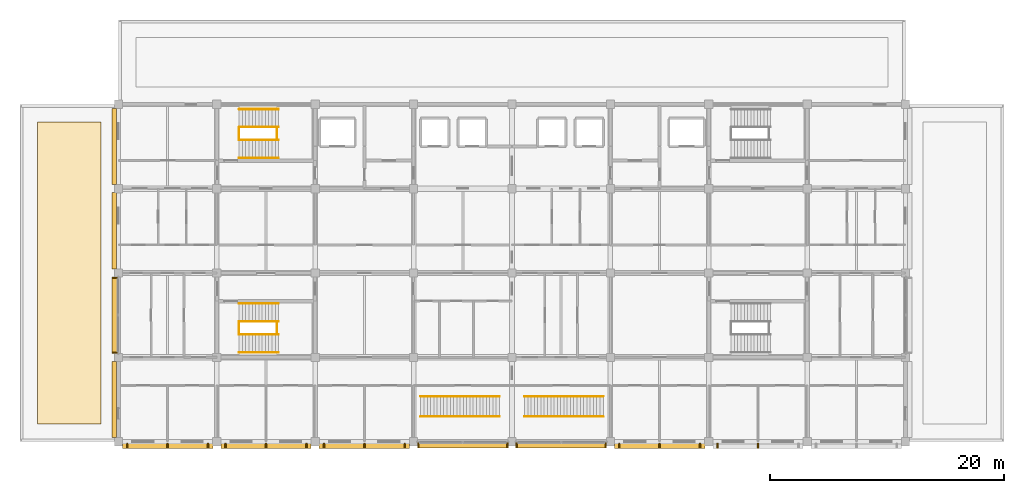
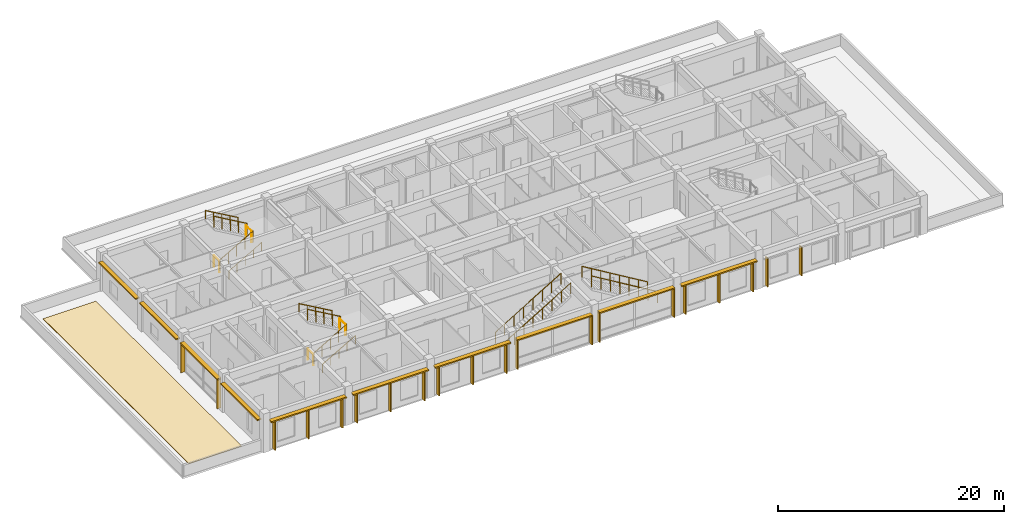
# One storey, part 17 of 19: 30 shading devices, 16 railings, 1 covering.
"""IFC4 building model written with IfcOpenShell, lengths in metres."""

from ifc_helpers import new_model, si_unit, direction, frame, origin, origin_2d, place, context, subcontext, project, spatial, polyline, rectangle, circle, outline, extrude, material, layer, layer_set, type_object, element, save


model = new_model("IFC4")

# Units and contexts
model_context = context("Model", 3, precision=1e-05, world=origin(), true_north=direction((0.0, 1.0)))
body_context = subcontext(model_context, "Body", "Model", "MODEL_VIEW")
ifc_project = project(units=[si_unit("LENGTHUNIT", "METRE"), si_unit("AREAUNIT", "SQUARE_METRE"), si_unit("VOLUMEUNIT", "CUBIC_METRE"), si_unit("PLANEANGLEUNIT", "RADIAN"), si_unit("MASSUNIT", "GRAM", prefix="KILO")], contexts=[model_context])

# Site, building, storey
site_placement = place(None, origin())
site = spatial("IfcSite", under=ifc_project, at=site_placement, CompositionType="ELEMENT")
building_placement = place(site_placement, origin())
building = spatial("IfcBuilding", under=site, at=building_placement, Name="Chengyuan Square Courthouse", CompositionType="ELEMENT")
storey_placement = place(building_placement, frame((0.0, 0.0, 47.699951171875)))
storey = spatial("IfcBuildingStorey", under=building, at=storey_placement, Name="L11", CompositionType="ELEMENT", Elevation=47.699951171875)

# Covering
ifc_material_1 = material(Name="TPO Waterproof Membrane and Extruded Polystyrene Insulation")
ifc_layer = layer(ifc_material_1, 0.06005859375)
ifc_layer_set = layer_set([ifc_layer], Name="TPO Waterproof Membrane and Extruded Polystyrene Insulation")
covering_type = type_object("IfcCoveringType", Name="RFG-01", PredefinedType="ROOFING", material=ifc_layer_set)
covering_placement = place(storey_placement, origin())
element("IfcCovering", 1, at=covering_placement, inside=storey, type_object=covering_type, Name="Roof Waterproofing Membrane RFG-L11-07", PredefinedType="ROOFING", context=body_context, shape_type="SweptSolid", body=[
    extrude(outline(polyline([(43.5, 80.699951171875), (48.89990234375, 80.699951171875), (48.89990234375, 106.5), (43.5, 106.5), (43.5, 80.699951171875)])), origin(), (0.0, 0.0, 1.0), 0.06005859375),
])

# Railings
ifc_material_2 = material(Name="Tempered Glass and Timber Top-Rail Balustrade", Category="wood")
railing_type_1 = type_object("IfcRailingType", Name="RL-02", PredefinedType="BALUSTRADE", material=ifc_material_2)
for number, where, name in (
    (2, (60.68994140625, 105.0, 0.0), "Stair Floor Slot Guard ST-1 L11"),
    (3, (63.949951171875, 105.0, 2.10009765625), "Stair Landing Guard ST-1-L11"),
):
    element("IfcRailing", number, at=place(storey_placement, frame(where)), inside=storey, type_object=railing_type_1, Name=name, PredefinedType="BALUSTRADE", context=body_context, shape_type="SweptSolid", body=[
        extrude(circle(Radius=0.02392578125, at=origin_2d()), frame((0.0, 0.0, 1.17578125), z_axis=(0.0, 1.0, 0.0), x_axis=(-1.0, 0.0, 0.0)), (0.0, 0.0, 1.0), 1.0),
        extrude(circle(Radius=0.02099609375, at=origin_2d()), origin(), (0.0, 0.0, 1.0), 1.15185546875),
        extrude(circle(Radius=0.02099609375, at=origin_2d()), frame((0.0, 1.0, 0.0)), (0.0, 0.0, 1.0), 1.15185546875),
    ])
railing_1_placement = place(storey_placement, frame((60.7099609375, 104.949951171875, 0.16162109375)))
element("IfcRailing", 4, at=railing_1_placement, inside=storey, type_object=railing_type_1, Name="Stair Flight 1 Guard ST-1-L11", PredefinedType="BALUSTRADE", context=body_context, shape_type="SweptSolid", body=[
    extrude(circle(Radius=0.02392578125, at=origin_2d()), frame((0.0, 0.0, 1.17578125), z_axis=(0.866190824863, 0.0, 0.499713372768), x_axis=(0.0, 1.0, 0.0)), (0.0, 0.0, 1.0), 3.879150390625),
    extrude(circle(Radius=0.02099609375, at=origin_2d()), origin(), (0.0, 0.0, 1.0), 1.15185546875),
    extrude(circle(Radius=0.02099609375, at=origin_2d()), frame((0.840087890625, 0.0, 0.484619140625)), (0.0, 0.0, 1.0), 1.15185546875),
    extrude(circle(Radius=0.02099609375, at=origin_2d()), frame((1.68017578125, 0.0, 0.96923828125)), (0.0, 0.0, 1.0), 1.15185546875),
    extrude(circle(Radius=0.02099609375, at=origin_2d()), frame((2.52001953125, 0.0, 1.453857421875)), (0.0, 0.0, 1.0), 1.15185546875),
    extrude(circle(Radius=0.02099609375, at=origin_2d()), frame((3.360107421875, 0.0, 1.9384765625)), (0.0, 0.0, 1.0), 1.15185546875),
])
railing_2_placement = place(storey_placement, frame((64.070068359375, 106.050048828125, 2.261474609375)))
element("IfcRailing", 5, at=railing_2_placement, inside=storey, type_object=railing_type_1, Name="Stair Flight 2 Guard ST-1-L11", PredefinedType="BALUSTRADE", context=body_context, shape_type="SweptSolid", body=[
    extrude(circle(Radius=0.02392578125, at=origin_2d()), frame((0.0, 0.0, 1.17578125), z_axis=(-0.866190824863, 0.0, 0.499713372768), x_axis=(0.0, -1.0, 0.0)), (0.0, 0.0, 1.0), 3.879150390625),
    extrude(circle(Radius=0.02099609375, at=origin_2d()), origin(), (0.0, 0.0, 1.0), 1.15185546875),
    extrude(circle(Radius=0.02099609375, at=origin_2d()), frame((-0.840087890625, 0.0, 0.484619140625)), (0.0, 0.0, 1.0), 1.15185546875),
    extrude(circle(Radius=0.02099609375, at=origin_2d()), frame((-1.68017578125, 0.0, 0.96923828125)), (0.0, 0.0, 1.0), 1.15185546875),
    extrude(circle(Radius=0.02099609375, at=origin_2d()), frame((-2.52001953125, 0.0, 1.453857421875)), (0.0, 0.0, 1.0), 1.15185546875),
    extrude(circle(Radius=0.02099609375, at=origin_2d()), frame((-3.360107421875, 0.0, 1.9384765625)), (0.0, 0.0, 1.0), 1.15185546875),
])
for number, where, name in (
    (6, (60.68994140625, 88.39990234375, 0.0), "Stair Floor Slot Guard ST-3 L11"),
    (7, (63.949951171875, 88.39990234375, 2.10009765625), "Stair Landing Guard ST-3-L11"),
):
    element("IfcRailing", number, at=place(storey_placement, frame(where)), inside=storey, type_object=railing_type_1, Name=name, PredefinedType="BALUSTRADE", context=body_context, shape_type="SweptSolid", body=[
        extrude(circle(Radius=0.02392578125, at=origin_2d()), frame((0.0, 0.0, 1.17578125), z_axis=(0.0, 1.0, 0.0), x_axis=(-1.0, 0.0, 0.0)), (0.0, 0.0, 1.0), 1.0),
        extrude(circle(Radius=0.02099609375, at=origin_2d()), origin(), (0.0, 0.0, 1.0), 1.15185546875),
        extrude(circle(Radius=0.02099609375, at=origin_2d()), frame((0.0, 1.0, 0.0)), (0.0, 0.0, 1.0), 1.15185546875),
    ])
railing_3_placement = place(storey_placement, frame((60.7099609375, 88.35009765625, 0.16162109375)))
element("IfcRailing", 8, at=railing_3_placement, inside=storey, type_object=railing_type_1, Name="Stair Flight 1 Guard ST-3-L11", PredefinedType="BALUSTRADE", context=body_context, shape_type="SweptSolid", body=[
    extrude(circle(Radius=0.02392578125, at=origin_2d()), frame((0.0, 0.0, 1.17578125), z_axis=(0.866190824863, 0.0, 0.499713372768), x_axis=(0.0, 1.0, 0.0)), (0.0, 0.0, 1.0), 3.879150390625),
    extrude(circle(Radius=0.02099609375, at=origin_2d()), origin(), (0.0, 0.0, 1.0), 1.15185546875),
    extrude(circle(Radius=0.02099609375, at=origin_2d()), frame((0.840087890625, 0.0, 0.484619140625)), (0.0, 0.0, 1.0), 1.15185546875),
    extrude(circle(Radius=0.02099609375, at=origin_2d()), frame((1.68017578125, 0.0, 0.96923828125)), (0.0, 0.0, 1.0), 1.15185546875),
    extrude(circle(Radius=0.02099609375, at=origin_2d()), frame((2.52001953125, 0.0, 1.453857421875)), (0.0, 0.0, 1.0), 1.15185546875),
    extrude(circle(Radius=0.02099609375, at=origin_2d()), frame((3.360107421875, 0.0, 1.9384765625)), (0.0, 0.0, 1.0), 1.15185546875),
])
railing_4_placement = place(storey_placement, frame((64.070068359375, 89.449951171875, 2.261474609375)))
element("IfcRailing", 9, at=railing_4_placement, inside=storey, type_object=railing_type_1, Name="Stair Flight 2 Guard ST-3-L11", PredefinedType="BALUSTRADE", context=body_context, shape_type="SweptSolid", body=[
    extrude(circle(Radius=0.02392578125, at=origin_2d()), frame((0.0, 0.0, 1.17578125), z_axis=(-0.866190824863, 0.0, 0.499713372768), x_axis=(0.0, -1.0, 0.0)), (0.0, 0.0, 1.0), 3.879150390625),
    extrude(circle(Radius=0.02099609375, at=origin_2d()), origin(), (0.0, 0.0, 1.0), 1.15185546875),
    extrude(circle(Radius=0.02099609375, at=origin_2d()), frame((-0.840087890625, 0.0, 0.484619140625)), (0.0, 0.0, 1.0), 1.15185546875),
    extrude(circle(Radius=0.02099609375, at=origin_2d()), frame((-1.68017578125, 0.0, 0.96923828125)), (0.0, 0.0, 1.0), 1.15185546875),
    extrude(circle(Radius=0.02099609375, at=origin_2d()), frame((-2.52001953125, 0.0, 1.453857421875)), (0.0, 0.0, 1.0), 1.15185546875),
    extrude(circle(Radius=0.02099609375, at=origin_2d()), frame((-3.360107421875, 0.0, 1.9384765625)), (0.0, 0.0, 1.0), 1.15185546875),
])
for number, where, name in (
    (10, (76.2099609375, 81.340087890625, 0.16796875), "Feature Stair Flight Guard ST-11E"),
    (11, (76.2099609375, 83.06005859375, 0.16796875), "Feature Stair Flight Guard ST-11E"),
):
    element("IfcRailing", number, at=place(storey_placement, frame(where)), inside=storey, type_object=railing_type_1, Name=name, PredefinedType="BALUSTRADE", context=body_context, shape_type="SweptSolid", body=[
        extrude(circle(Radius=0.02392578125, at=origin_2d()), frame((0.0, 0.0, 1.17578125), z_axis=(0.857492925713, 0.0, 0.514495755428), x_axis=(0.0, 1.0, 0.0)), (0.0, 0.0, 1.0), 7.836669921875),
        extrude(circle(Radius=0.02099609375, at=origin_2d()), origin(), (0.0, 0.0, 1.0), 1.15185546875),
        extrude(circle(Radius=0.02099609375, at=origin_2d()), frame((0.9599609375, 0.0, 0.575927734375)), (0.0, 0.0, 1.0), 1.15185546875),
        extrude(circle(Radius=0.02099609375, at=origin_2d()), frame((1.919921875, 0.0, 1.152099609375)), (0.0, 0.0, 1.0), 1.15185546875),
        extrude(circle(Radius=0.02099609375, at=origin_2d()), frame((2.8798828125, 0.0, 1.72802734375)), (0.0, 0.0, 1.0), 1.15185546875),
        extrude(circle(Radius=0.02099609375, at=origin_2d()), frame((3.840087890625, 0.0, 2.303955078125)), (0.0, 0.0, 1.0), 1.15185546875),
        extrude(circle(Radius=0.02099609375, at=origin_2d()), frame((4.800048828125, 0.0, 2.8798828125)), (0.0, 0.0, 1.0), 1.15185546875),
        extrude(circle(Radius=0.02099609375, at=origin_2d()), frame((5.760009765625, 0.0, 3.4560546875)), (0.0, 0.0, 1.0), 1.15185546875),
        extrude(circle(Radius=0.02099609375, at=origin_2d()), frame((6.719970703125, 0.0, 4.031982421875)), (0.0, 0.0, 1.0), 1.15185546875),
    ])
for number, where, name in (
    (12, (91.7900390625, 81.340087890625, 0.16796875), "Feature Stair Flight Guard ST-11F"),
    (13, (91.7900390625, 83.06005859375, 0.16796875), "Feature Stair Flight Guard ST-11F"),
):
    element("IfcRailing", number, at=place(storey_placement, frame(where)), inside=storey, type_object=railing_type_1, Name=name, PredefinedType="BALUSTRADE", context=body_context, shape_type="SweptSolid", body=[
        extrude(circle(Radius=0.02392578125, at=origin_2d()), frame((0.0, 0.0, 1.17578125), z_axis=(-0.857492925713, 0.0, 0.514495755428), x_axis=(0.0, -1.0, 0.0)), (0.0, 0.0, 1.0), 7.836669921875),
        extrude(circle(Radius=0.02099609375, at=origin_2d()), origin(), (0.0, 0.0, 1.0), 1.15185546875),
        extrude(circle(Radius=0.02099609375, at=origin_2d()), frame((-0.9599609375, 0.0, 0.575927734375)), (0.0, 0.0, 1.0), 1.15185546875),
        extrude(circle(Radius=0.02099609375, at=origin_2d()), frame((-1.919921875, 0.0, 1.152099609375)), (0.0, 0.0, 1.0), 1.15185546875),
        extrude(circle(Radius=0.02099609375, at=origin_2d()), frame((-2.8798828125, 0.0, 1.72802734375)), (0.0, 0.0, 1.0), 1.15185546875),
        extrude(circle(Radius=0.02099609375, at=origin_2d()), frame((-3.840087890625, 0.0, 2.303955078125)), (0.0, 0.0, 1.0), 1.15185546875),
        extrude(circle(Radius=0.02099609375, at=origin_2d()), frame((-4.800048828125, 0.0, 2.8798828125)), (0.0, 0.0, 1.0), 1.15185546875),
        extrude(circle(Radius=0.02099609375, at=origin_2d()), frame((-5.760009765625, 0.0, 3.4560546875)), (0.0, 0.0, 1.0), 1.15185546875),
        extrude(circle(Radius=0.02099609375, at=origin_2d()), frame((-6.719970703125, 0.0, 4.031982421875)), (0.0, 0.0, 1.0), 1.15185546875),
    ])
ifc_material_3 = material(Name="Stainless Steel S30408 Stair Handrail", Category="steel")
railing_type_2 = type_object("IfcRailingType", Name="RL-04", PredefinedType="HANDRAIL", material=ifc_material_3)
railing_5_placement = place(storey_placement, frame((60.7099609375, 103.419921875, 0.16162109375)))
element("IfcRailing", 14, at=railing_5_placement, inside=storey, type_object=railing_type_2, Name="Stair Flight 1 Handrail ST-1-L11", PredefinedType="HANDRAIL", context=body_context, shape_type="SweptSolid", body=[
    extrude(circle(Radius=0.02392578125, at=origin_2d()), frame((0.0, 0.0, 0.8759765625), z_axis=(0.866190824863, 0.0, 0.499713372768), x_axis=(0.0, 1.0, 0.0)), (0.0, 0.0, 1.0), 3.879150390625),
    extrude(circle(Radius=0.02099609375, at=origin_2d()), origin(), (0.0, 0.0, 1.0), 0.851806640625),
    extrude(circle(Radius=0.02099609375, at=origin_2d()), frame((0.840087890625, 0.0, 0.484619140625)), (0.0, 0.0, 1.0), 0.851806640625),
    extrude(circle(Radius=0.02099609375, at=origin_2d()), frame((1.68017578125, 0.0, 0.96923828125)), (0.0, 0.0, 1.0), 0.851806640625),
    extrude(circle(Radius=0.02099609375, at=origin_2d()), frame((2.52001953125, 0.0, 1.453857421875)), (0.0, 0.0, 1.0), 0.851806640625),
    extrude(circle(Radius=0.02099609375, at=origin_2d()), frame((3.360107421875, 0.0, 1.9384765625)), (0.0, 0.0, 1.0), 0.851806640625),
])
railing_6_placement = place(storey_placement, frame((64.070068359375, 107.580078125, 2.261474609375)))
element("IfcRailing", 15, at=railing_6_placement, inside=storey, type_object=railing_type_2, Name="Stair Flight 2 Handrail ST-1-L11", PredefinedType="HANDRAIL", context=body_context, shape_type="SweptSolid", body=[
    extrude(circle(Radius=0.02392578125, at=origin_2d()), frame((0.0, 0.0, 0.8759765625), z_axis=(-0.866190824863, 0.0, 0.499713372768), x_axis=(0.0, -1.0, 0.0)), (0.0, 0.0, 1.0), 3.879150390625),
    extrude(circle(Radius=0.02099609375, at=origin_2d()), origin(), (0.0, 0.0, 1.0), 0.851806640625),
    extrude(circle(Radius=0.02099609375, at=origin_2d()), frame((-0.840087890625, 0.0, 0.484619140625)), (0.0, 0.0, 1.0), 0.851806640625),
    extrude(circle(Radius=0.02099609375, at=origin_2d()), frame((-1.68017578125, 0.0, 0.96923828125)), (0.0, 0.0, 1.0), 0.851806640625),
    extrude(circle(Radius=0.02099609375, at=origin_2d()), frame((-2.52001953125, 0.0, 1.453857421875)), (0.0, 0.0, 1.0), 0.851806640625),
    extrude(circle(Radius=0.02099609375, at=origin_2d()), frame((-3.360107421875, 0.0, 1.9384765625)), (0.0, 0.0, 1.0), 0.851806640625),
])
railing_7_placement = place(storey_placement, frame((60.7099609375, 86.820068359375, 0.16162109375)))
element("IfcRailing", 16, at=railing_7_placement, inside=storey, type_object=railing_type_2, Name="Stair Flight 1 Handrail ST-3-L11", PredefinedType="HANDRAIL", context=body_context, shape_type="SweptSolid", body=[
    extrude(circle(Radius=0.02392578125, at=origin_2d()), frame((0.0, 0.0, 0.8759765625), z_axis=(0.866190824863, 0.0, 0.499713372768), x_axis=(0.0, 1.0, 0.0)), (0.0, 0.0, 1.0), 3.879150390625),
    extrude(circle(Radius=0.02099609375, at=origin_2d()), origin(), (0.0, 0.0, 1.0), 0.851806640625),
    extrude(circle(Radius=0.02099609375, at=origin_2d()), frame((0.840087890625, 0.0, 0.484619140625)), (0.0, 0.0, 1.0), 0.851806640625),
    extrude(circle(Radius=0.02099609375, at=origin_2d()), frame((1.68017578125, 0.0, 0.96923828125)), (0.0, 0.0, 1.0), 0.851806640625),
    extrude(circle(Radius=0.02099609375, at=origin_2d()), frame((2.52001953125, 0.0, 1.453857421875)), (0.0, 0.0, 1.0), 0.851806640625),
    extrude(circle(Radius=0.02099609375, at=origin_2d()), frame((3.360107421875, 0.0, 1.9384765625)), (0.0, 0.0, 1.0), 0.851806640625),
])
railing_8_placement = place(storey_placement, frame((64.070068359375, 90.97998046875, 2.261474609375)))
element("IfcRailing", 17, at=railing_8_placement, inside=storey, type_object=railing_type_2, Name="Stair Flight 2 Handrail ST-3-L11", PredefinedType="HANDRAIL", context=body_context, shape_type="SweptSolid", body=[
    extrude(circle(Radius=0.02392578125, at=origin_2d()), frame((0.0, 0.0, 0.8759765625), z_axis=(-0.866190824863, 0.0, 0.499713372768), x_axis=(0.0, -1.0, 0.0)), (0.0, 0.0, 1.0), 3.879150390625),
    extrude(circle(Radius=0.02099609375, at=origin_2d()), origin(), (0.0, 0.0, 1.0), 0.851806640625),
    extrude(circle(Radius=0.02099609375, at=origin_2d()), frame((-0.840087890625, 0.0, 0.484619140625)), (0.0, 0.0, 1.0), 0.851806640625),
    extrude(circle(Radius=0.02099609375, at=origin_2d()), frame((-1.68017578125, 0.0, 0.96923828125)), (0.0, 0.0, 1.0), 0.851806640625),
    extrude(circle(Radius=0.02099609375, at=origin_2d()), frame((-2.52001953125, 0.0, 1.453857421875)), (0.0, 0.0, 1.0), 0.851806640625),
    extrude(circle(Radius=0.02099609375, at=origin_2d()), frame((-3.360107421875, 0.0, 1.9384765625)), (0.0, 0.0, 1.0), 0.851806640625),
])

# Shading devices
ifc_material_4 = material(Name="Glulam TCt28 Solar Shading Fin", Category="wood")
shading_device_type_1 = type_object("IfcShadingDeviceType", Name="SHD-01", PredefinedType="JALOUSIE", material=ifc_material_4)
for number, where, z_axis, x_axis, name in (
    (18, (50.087890625, 86.7900390625, 0.0400390625), (0.0, 0.0, 1.0), (1.0, 0.0, 0.0), "Glulam Solar Fin SHD-L11-0796"),
    (19, (50.087890625, 93.2099609375, 0.0400390625), (0.0, 0.0, 1.0), (1.0, 0.0, 0.0), "Glulam Solar Fin SHD-L11-0797"),
    (20, (75.985107421875, 78.89794921875, 0.0400390625), (0.0, 0.0, 1.0), (0.0, 1.0, 0.0), "Glulam Solar Fin SHD-L11-0809"),
    (21, (83.614990234375, 78.89794921875, 0.0400390625), (0.0, 0.0, 1.0), (0.0, 1.0, 0.0), "Glulam Solar Fin SHD-L11-0810"),
    (22, (84.385009765625, 78.89794921875, 0.0400390625), (0.0, 0.0, 1.0), (0.0, 1.0, 0.0), "Glulam Solar Fin SHD-L11-0812"),
    (23, (92.014892578125, 78.89794921875, 0.0400390625), (0.0, 0.0, 1.0), (0.0, 1.0, 0.0), "Glulam Solar Fin SHD-L11-0813"),
):
    element("IfcShadingDevice", number, at=place(storey_placement, frame(where, z_axis=z_axis, x_axis=x_axis)), inside=storey, type_object=shading_device_type_1, Name=name, PredefinedType="JALOUSIE", context=body_context, shape_type="SweptSolid", body=[
        extrude(rectangle(XDim=0.419921875, YDim=0.094970703125, at=origin_2d()), origin(), (0.0, 0.0, 1.0), 3.10009765625),
    ])
ifc_material_5 = material(Name="Glulam TCt28 Sunshade Louvre", Category="wood")
shading_device_type_2 = type_object("IfcShadingDeviceType", Name="SHD-02", PredefinedType="AWNING", material=ifc_material_5)
shading_device_1_placement = place(storey_placement, frame((54.60009765625, 78.837890625, 3.14013671875), z_axis=(0.0, 0.0, 1.0), x_axis=(1.0, 0.0, 0.0)))
element("IfcShadingDevice", 24, at=shading_device_1_placement, inside=storey, type_object=shading_device_type_2, Name="Glulam Sunshade Cornice SHD-L11-0794", PredefinedType="AWNING", context=body_context, shape_type="SweptSolid", body=[
    extrude(rectangle(XDim=7.7099609375, YDim=0.43994140625, at=origin_2d()), origin(), (0.0, 0.0, 1.0), 0.139892578125),
])
shading_device_2_placement = place(storey_placement, frame((50.087890625, 90.0, 3.14013671875), z_axis=(0.0, 0.0, 1.0), x_axis=(0.0, 1.0, 0.0)))
element("IfcShadingDevice", 25, at=shading_device_2_placement, inside=storey, type_object=shading_device_type_2, Name="Glulam Sunshade Louvre SHD-L11-0798", PredefinedType="AWNING", context=body_context, shape_type="SweptSolid", body=[
    extrude(rectangle(XDim=6.5, YDim=0.43994140625, at=origin_2d()), origin(), (0.0, 0.0, 1.0), 0.139892578125),
])
for number, where, z_axis, x_axis, name in (
    (26, (63.0, 78.837890625, 3.14013671875), (0.0, 0.0, 1.0), (1.0, 0.0, 0.0), "Glulam Sunshade Cornice SHD-L11-0804"),
    (27, (71.39990234375, 78.837890625, 3.14013671875), (0.0, 0.0, 1.0), (1.0, 0.0, 0.0), "Glulam Sunshade Cornice SHD-L11-0808"),
):
    element("IfcShadingDevice", number, at=place(storey_placement, frame(where, z_axis=z_axis, x_axis=x_axis)), inside=storey, type_object=shading_device_type_2, Name=name, PredefinedType="AWNING", context=body_context, shape_type="SweptSolid", body=[
        extrude(rectangle(XDim=7.7099609375, YDim=0.43994140625, at=origin_2d()), origin(), (0.0, 0.0, 1.0), 0.139892578125),
    ])
for number, where, z_axis, x_axis, name in (
    (28, (79.800048828125, 78.89794921875, 3.14013671875), (0.0, 0.0, 1.0), (1.0, 0.0, 0.0), "Glulam Sunshade Louvre SHD-L11-0811"),
    (29, (88.199951171875, 78.89794921875, 3.14013671875), (0.0, 0.0, 1.0), (1.0, 0.0, 0.0), "Glulam Sunshade Louvre SHD-L11-0814"),
):
    element("IfcShadingDevice", number, at=place(storey_placement, frame(where, z_axis=z_axis, x_axis=x_axis)), inside=storey, type_object=shading_device_type_2, Name=name, PredefinedType="AWNING", context=body_context, shape_type="SweptSolid", body=[
        extrude(rectangle(XDim=7.699951171875, YDim=0.43994140625, at=origin_2d()), origin(), (0.0, 0.0, 1.0), 0.139892578125),
    ])
shading_device_3_placement = place(storey_placement, frame((96.60009765625, 78.837890625, 3.14013671875), z_axis=(0.0, 0.0, 1.0), x_axis=(1.0, 0.0, 0.0)))
element("IfcShadingDevice", 30, at=shading_device_3_placement, inside=storey, type_object=shading_device_type_2, Name="Glulam Sunshade Cornice SHD-L11-0818", PredefinedType="AWNING", context=body_context, shape_type="SweptSolid", body=[
    extrude(rectangle(XDim=7.7099609375, YDim=0.43994140625, at=origin_2d()), origin(), (0.0, 0.0, 1.0), 0.139892578125),
])
ifc_material_6 = material(Name="Glulam TCt28 Facade Sunshade", Category="wood")
shading_device_type_3 = type_object("IfcShadingDeviceType", Name="SHD-03", PredefinedType="AWNING", material=ifc_material_6)
for number, where, z_axis, x_axis, name in (
    (31, (50.048095703125, 82.800048828125, 3.1201171875), (0.0, 0.0, 1.0), (0.0, 1.0, 0.0), "Glulam Facade Sunshade SHD-L11-0795"),
    (32, (50.048095703125, 97.199951171875, 3.1201171875), (0.0, 0.0, 1.0), (0.0, 1.0, 0.0), "Glulam Facade Sunshade SHD-L11-0799"),
    (33, (50.048095703125, 104.39990234375, 3.1201171875), (0.0, 0.0, 1.0), (0.0, 1.0, 0.0), "Glulam Facade Sunshade SHD-L11-0800"),
):
    element("IfcShadingDevice", number, at=place(storey_placement, frame(where, z_axis=z_axis, x_axis=x_axis)), inside=storey, type_object=shading_device_type_3, Name=name, PredefinedType="AWNING", context=body_context, shape_type="SweptSolid", body=[
        extrude(rectangle(XDim=6.510009765625, YDim=0.39990234375, at=origin_2d()), origin(), (0.0, 0.0, 1.0), 0.139892578125),
    ])
ifc_material_7 = material(Name="Glulam TCt28 Chamber Solar Fin", Category="wood")
shading_device_type_4 = type_object("IfcShadingDeviceType", Name="SHD-04", PredefinedType="JALOUSIE", material=ifc_material_7)
for number, where, z_axis, x_axis, name in (
    (34, (51.14990234375, 78.837890625, 0.0400390625), (0.0, 0.0, 1.0), (0.0, 1.0, 0.0), "Glulam Chamber Fin SHD-L11-0791"),
    (35, (54.60009765625, 78.837890625, 0.0400390625), (0.0, 0.0, 1.0), (0.0, 1.0, 0.0), "Glulam Chamber Fin SHD-L11-0792"),
    (36, (58.050048828125, 78.837890625, 0.0400390625), (0.0, 0.0, 1.0), (0.0, 1.0, 0.0), "Glulam Chamber Fin SHD-L11-0793"),
    (37, (59.550048828125, 78.837890625, 0.0400390625), (0.0, 0.0, 1.0), (0.0, 1.0, 0.0), "Glulam Chamber Fin SHD-L11-0801"),
    (38, (63.0, 78.837890625, 0.0400390625), (0.0, 0.0, 1.0), (0.0, 1.0, 0.0), "Glulam Chamber Fin SHD-L11-0802"),
    (39, (66.449951171875, 78.837890625, 0.0400390625), (0.0, 0.0, 1.0), (0.0, 1.0, 0.0), "Glulam Chamber Fin SHD-L11-0803"),
    (40, (67.949951171875, 78.837890625, 0.0400390625), (0.0, 0.0, 1.0), (0.0, 1.0, 0.0), "Glulam Chamber Fin SHD-L11-0805"),
    (41, (71.39990234375, 78.837890625, 0.0400390625), (0.0, 0.0, 1.0), (0.0, 1.0, 0.0), "Glulam Chamber Fin SHD-L11-0806"),
    (42, (74.85009765625, 78.837890625, 0.0400390625), (0.0, 0.0, 1.0), (0.0, 1.0, 0.0), "Glulam Chamber Fin SHD-L11-0807"),
    (43, (93.14990234375, 78.837890625, 0.0400390625), (0.0, 0.0, 1.0), (0.0, 1.0, 0.0), "Glulam Chamber Fin SHD-L11-0815"),
    (44, (96.60009765625, 78.837890625, 0.0400390625), (0.0, 0.0, 1.0), (0.0, 1.0, 0.0), "Glulam Chamber Fin SHD-L11-0816"),
    (45, (100.050048828125, 78.837890625, 0.0400390625), (0.0, 0.0, 1.0), (0.0, 1.0, 0.0), "Glulam Chamber Fin SHD-L11-0817"),
    (46, (101.550048828125, 78.837890625, 0.0400390625), (0.0, 0.0, 1.0), (0.0, 1.0, 0.0), "Glulam Chamber Fin SHD-L11-0819"),
    (47, (105.0, 78.837890625, 0.0400390625), (0.0, 0.0, 1.0), (0.0, 1.0, 0.0), "Glulam Chamber Fin SHD-L11-0820"),
):
    element("IfcShadingDevice", number, at=place(storey_placement, frame(where, z_axis=z_axis, x_axis=x_axis)), inside=storey, type_object=shading_device_type_4, Name=name, PredefinedType="JALOUSIE", context=body_context, shape_type="SweptSolid", body=[
        extrude(rectangle(XDim=0.419921875, YDim=0.110107421875, at=origin_2d()), origin(), (0.0, 0.0, 1.0), 3.10009765625),
    ])

save(model, "model.ifc")
